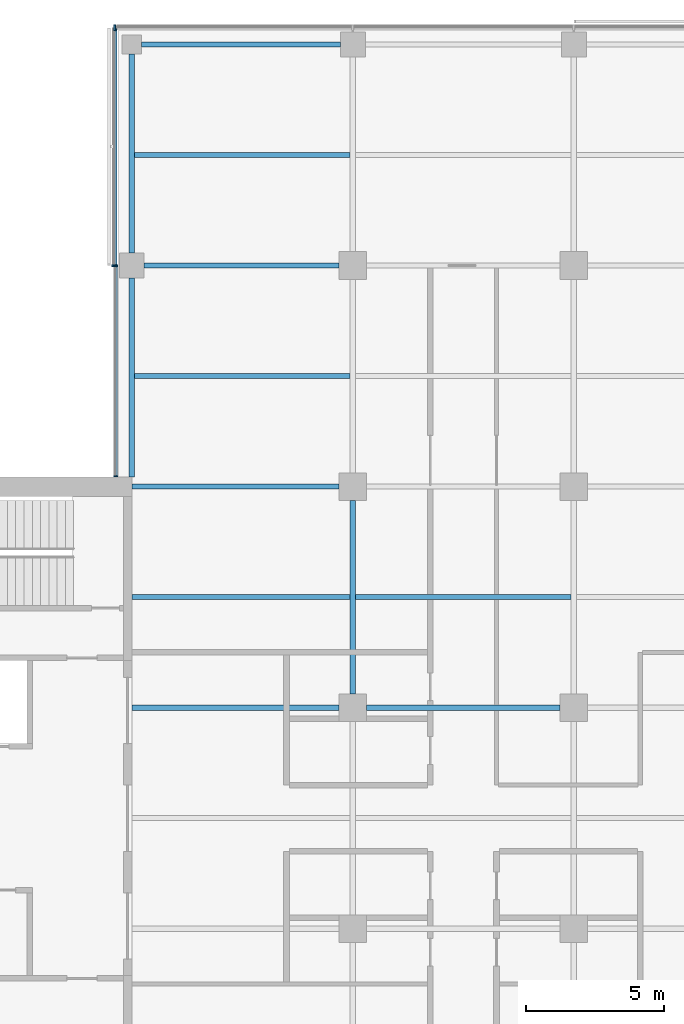
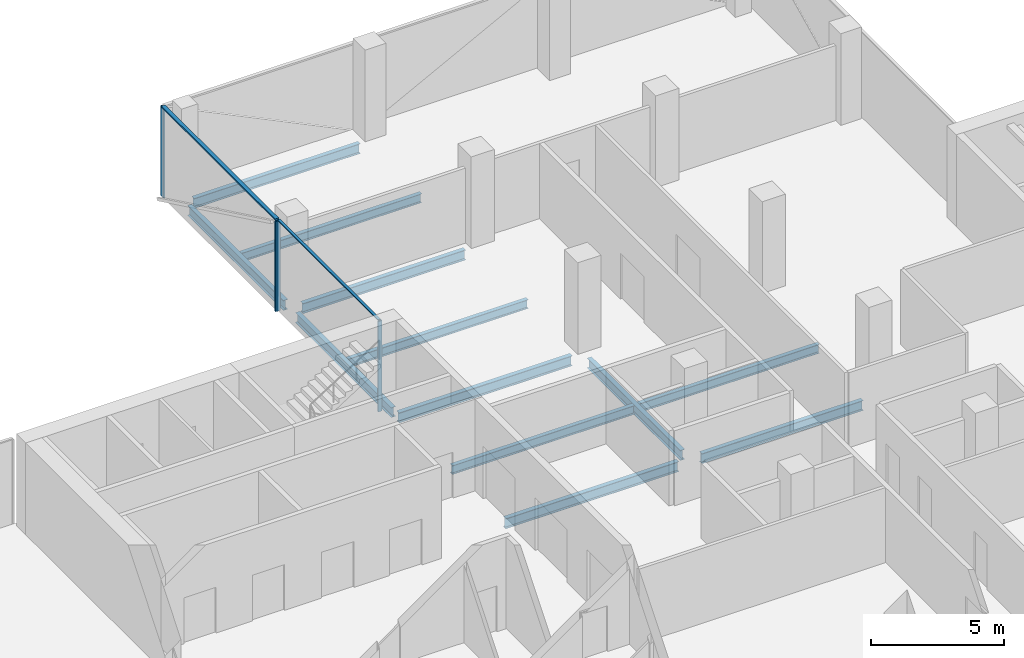
# One storey, part 8 of 22: 12 beams, 6 members, 3 elements without a shape of their own.
"""IFC4 building model written with IfcOpenShell, lengths in metres."""

import ifcopenshell
import ifcopenshell.guid

model = None  # the IFC model being written
_history = None  # IfcOwnerHistory: only IFC2X3 demands one
_inside = {}  # id of a spatial element -> (the spatial element, [elements in it])
_under = {}  # id of a project, library or spatial element -> (it, [spatial elements below it])
_declared = {}  # id of a project -> (the project, [libraries it declares])
_typed = {}  # id of a type object -> (the type object, [elements of that type])
_made_of = {}  # id of a material, layer set ... -> (it, [elements and type objects made of it])


def new_model(schema):
    """Start an empty IFC model of exactly this schema.

    Asked for "IFC4X3", IfcOpenShell would pick the latest addendum, in which some entities
    have other attributes; the version numbers below select the first issue.
    IFC2X3 requires an IfcOwnerHistory on every rooted entity: one is made here for all.
    """
    global model, _history
    if schema == "IFC4X3":
        model = ifcopenshell.file(schema_version=(4, 3, 0, 0))
    else:
        model = ifcopenshell.file(schema=schema)
    _inside.clear()
    _under.clear()
    _declared.clear()
    _typed.clear()
    _made_of.clear()
    _history = None
    if model.schema == "IFC2X3":
        org = make("IfcOrganization", Name="unknown")
        user = make(
            "IfcPersonAndOrganization",
            ThePerson=make("IfcPerson", FamilyName="unknown"),
            TheOrganization=org,
        )
        app = make(
            "IfcApplication",
            ApplicationDeveloper=org,
            Version="unknown",
            ApplicationFullName="unknown",
            ApplicationIdentifier="unknown",
        )
        _history = make(
            "IfcOwnerHistory",
            OwningUser=user,
            OwningApplication=app,
            ChangeAction="ADDED",
            CreationDate=0,
        )
    return model


def make(cls, **values):
    """One entity of the class cls with the attributes given. An attribute that is None is left unset."""
    return model.create_entity(
        cls, **{name: value for name, value in values.items() if value is not None}
    )


def rooted(cls, **values):
    """An entity with a GlobalId (a new one), such as an element, a storey or a relation."""
    return make(cls, GlobalId=ifcopenshell.guid.new(), OwnerHistory=_history, **values)


def si_unit(unit_type, name, prefix=None):
    """IfcSIUnit, for example si_unit("LENGTHUNIT", "METRE", prefix="MILLI")."""
    return make("IfcSIUnit", UnitType=unit_type, Prefix=prefix, Name=name)


def assignment(units):
    """IfcUnitAssignment: the units of a project."""
    return None if units is None else make("IfcUnitAssignment", Units=units)


def point(xyz):
    """IfcCartesianPoint."""
    return None if xyz is None else make("IfcCartesianPoint", Coordinates=xyz)


def direction(xyz):
    """IfcDirection."""
    return None if xyz is None else make("IfcDirection", DirectionRatios=xyz)


def frame(location, z_axis=None, x_axis=None):
    """IfcAxis2Placement3D, a coordinate frame: its origin and axes. An axis left out is left unset."""
    return make(
        "IfcAxis2Placement3D",
        Location=point(location),
        Axis=direction(z_axis),
        RefDirection=direction(x_axis),
    )


def frame_2d(location, x_axis=None):
    """IfcAxis2Placement2D, a coordinate frame in the plane: its origin and x axis."""
    return make(
        "IfcAxis2Placement2D", Location=point(location), RefDirection=direction(x_axis)
    )


def origin():
    """The frame at (0, 0, 0) with its axes left unset."""
    return frame((0.0, 0.0, 0.0))


def origin_2d():
    """The frame at (0, 0) in the plane with its x axis left unset."""
    return frame_2d((0.0, 0.0))


def place(relative_to, where):
    """IfcLocalPlacement: puts the frame where relative to a parent placement (None: the world)."""
    return make(
        "IfcLocalPlacement", PlacementRelTo=relative_to, RelativePlacement=where
    )


def context(
    kind, dimensions, precision=None, world=None, true_north=None, identifier=None
):
    """IfcGeometricRepresentationContext, for example the 3D "Model" context."""
    return make(
        "IfcGeometricRepresentationContext",
        ContextIdentifier=identifier,
        ContextType=kind,
        CoordinateSpaceDimension=dimensions,
        Precision=precision,
        WorldCoordinateSystem=world,
        TrueNorth=true_north,
    )


def subcontext(parent, identifier, kind, view, scale=None):
    """IfcGeometricRepresentationSubContext, for example "Body" below "Model"."""
    return make(
        "IfcGeometricRepresentationSubContext",
        ContextIdentifier=identifier,
        ContextType=kind,
        ParentContext=parent,
        TargetScale=scale,
        TargetView=view,
    )


def project(units=None, contexts=None):
    """IfcProject with its units and contexts."""
    return rooted(
        "IfcProject",
        Name="project",
        RepresentationContexts=contexts,
        UnitsInContext=assignment(units),
    )


def spatial(cls, under=None, at=None, **own):
    """A site, building, storey or space (cls), placed at a placement, below another one or the project."""
    s = rooted(cls, ObjectPlacement=at, **own)
    if under is not None:
        _under.setdefault(under.id(), (under, []))[1].append(s)
    return s


def profile(cls, at=None, kind="AREA", **sizes):
    """A parametric profile (cls). Its sizes go by their IFC names, for example OverallWidth=200.0."""
    return make(cls, ProfileType=kind, Position=at, **sizes)


def rectangle(**sizes):
    """IfcRectangleProfileDef."""
    return profile("IfcRectangleProfileDef", **sizes)


def i_section(**sizes):
    """IfcIShapeProfileDef."""
    return profile("IfcIShapeProfileDef", **sizes)


def extrude(swept, where, along, depth):
    """IfcExtrudedAreaSolid: the profile swept, set in the frame where, extruded along a direction by depth."""
    return make(
        "IfcExtrudedAreaSolid",
        SweptArea=swept,
        Position=where,
        ExtrudedDirection=direction(along),
        Depth=depth,
    )


def shape(context_of_items, identifier, shape_type, items):
    """IfcShapeRepresentation: the items that make up one representation, for example the "Body"."""
    return make(
        "IfcShapeRepresentation",
        ContextOfItems=context_of_items,
        RepresentationIdentifier=identifier,
        RepresentationType=shape_type,
        Items=items,
    )


def material(Name=None, Category=None):
    """IfcMaterial."""
    return make("IfcMaterial", Name=Name, Category=Category)


def material_profile(
    of_material, cross_section, Name=None, Category=None, Priority=None
):
    """IfcMaterialProfile: a cross section and its material."""
    return make(
        "IfcMaterialProfile",
        Name=Name,
        Material=of_material,
        Profile=cross_section,
        Priority=Priority,
        Category=Category,
    )


def profile_set(profiles, Name=None, composite=None):
    """IfcMaterialProfileSet."""
    return make(
        "IfcMaterialProfileSet",
        Name=Name,
        MaterialProfiles=profiles,
        CompositeProfile=composite,
    )


def made_of(thing, what):
    """Note that an element or type object is made of a material, layer set ...; save() writes the relation."""
    if what is not None:
        _made_of.setdefault(what.id(), (what, []))[1].append(thing)
    return thing


def type_object(cls, material=None, **own):
    """A type object (cls), such as IfcWallType, which elements share."""
    return made_of(rooted(cls, **own), material)


def element(
    cls,
    number,
    at=None,
    inside=None,
    cuts=None,
    type_object=None,
    material=None,
    context=None,
    identifier="Body",
    shape_type=None,
    held_by="IfcProductDefinitionShape",
    body=None,
    shapes=None,
    **own,
):
    """One element of the class cls, such as IfcWall. Its Tag is "e" and its number.

    at: its placement. inside: the storey or other place that contains it. cuts: it is an
    opening in that element (IfcRelVoidsElement). A single representation is given by context,
    identifier, shape_type and body (its items); several are given by shapes. held_by: the class
    of the entity that holds the representations. save() writes the other relations.
    """
    e = rooted(cls, Tag="e%d" % number, ObjectPlacement=at, **own)
    if body is not None:
        shapes = [shape(context, identifier, shape_type, body)]
    if shapes is not None:
        e.Representation = make(held_by, Representations=shapes)
    if inside is not None:
        _inside.setdefault(inside.id(), (inside, []))[1].append(e)
    if cuts is not None:
        rooted(
            "IfcRelVoidsElement", RelatingBuildingElement=cuts, RelatedOpeningElement=e
        )
    if type_object is not None:
        _typed.setdefault(type_object.id(), (type_object, []))[1].append(e)
    return made_of(e, material)


def aggregate(whole, parts):
    """IfcRelAggregates: a whole, such as a stair, and the parts it consists of."""
    return rooted("IfcRelAggregates", RelatingObject=whole, RelatedObjects=parts)


def save(model, path):
    """Write the relations noted so far, then the file.

    IfcRelAggregates (storeys below a building ...), IfcRelContainedInSpatialStructure (elements
    in a storey), IfcRelDefinesByType, IfcRelAssociatesMaterial and IfcRelDeclares: one each for
    every whole, place, type object, material and project.
    """
    for whole, parts in _under.values():
        aggregate(whole, parts)
    for where, things in _inside.values():
        rooted(
            "IfcRelContainedInSpatialStructure",
            RelatedElements=things,
            RelatingStructure=where,
        )
    for kind, things in _typed.values():
        rooted("IfcRelDefinesByType", RelatedObjects=things, RelatingType=kind)
    for what, things in _made_of.values():
        rooted("IfcRelAssociatesMaterial", RelatedObjects=things, RelatingMaterial=what)
    for by, libraries in _declared.values():
        rooted("IfcRelDeclares", RelatingContext=by, RelatedDefinitions=libraries)
    model.write(path)


model = new_model("IFC4")

# Units and contexts
model_context = context("Model", 3, precision=1e-05, world=origin(), true_north=direction((0.0, 1.0)))
body_context = subcontext(model_context, "Body", "Model", "MODEL_VIEW")
ifc_project = project(units=[si_unit("LENGTHUNIT", "METRE"), si_unit("AREAUNIT", "SQUARE_METRE"), si_unit("VOLUMEUNIT", "CUBIC_METRE"), si_unit("PLANEANGLEUNIT", "RADIAN"), si_unit("MASSUNIT", "GRAM", prefix="KILO")], contexts=[model_context])

# Site, building, storey
site_placement = place(None, origin())
site = spatial("IfcSite", under=ifc_project, at=site_placement, CompositionType="ELEMENT")
building_placement = place(site_placement, origin())
building = spatial("IfcBuilding", under=site, at=building_placement, Name="Crosswind Convention Tower", CompositionType="ELEMENT")
storey_placement = place(building_placement, frame((0.0, 0.0, 116.89990234375)))
storey = spatial("IfcBuildingStorey", under=building, at=storey_placement, Name="L23", CompositionType="ELEMENT", Elevation=116.89990234375)

# Beams
ifc_material_1 = material(Name="Steel S355", Category="steel")
ifc_material_profile_1 = material_profile(ifc_material_1, i_section(OverallWidth=0.18994140625, OverallDepth=0.45361328125, WebThickness=0.008544921875, FlangeThickness=0.0126953125, FilletRadius=0.01025390625, at=origin_2d()), Name="UB 457x191x67")
ifc_profile_set_1 = profile_set([ifc_material_profile_1], Name="Steel S355")
beam_type_1 = type_object("IfcBeamType", Name="Edge beam UB 457x191x67", PredefinedType="SPANDREL", material=ifc_profile_set_1)
for number, where, z_axis, x_axis, name in (
    (1, (113.0, 112.35009765625, -0.526611328125), (0.0, 1.0, 0.0), (-1.0, 0.0, 0.0), "B16 L23 edge beam 8"),
    (2, (113.0, 120.449951171875, -0.526611328125), (0.0, 1.0, 0.0), (-1.0, 0.0, 0.0), "B16 L23 edge beam 9"),
    (3, (113.35009765625, 128.0, -0.526611328125), (1.0, 0.0, 0.0), (0.0, 1.0, 0.0), "B16 L23 edge beam 11"),
):
    element("IfcBeam", number, at=place(storey_placement, frame(where, z_axis=z_axis, x_axis=x_axis)), inside=storey, type_object=beam_type_1, Name=name, PredefinedType="SPANDREL", context=body_context, shape_type="SweptSolid", body=[
        extrude(i_section(OverallWidth=0.18994140625, OverallDepth=0.45361328125, WebThickness=0.008544921875, FlangeThickness=0.0126953125, FilletRadius=0.01025390625, at=origin_2d()), origin(), (0.0, 0.0, 1.0), 7.199951171875),
    ])
ifc_material_profile_2 = material_profile(ifc_material_1, i_section(OverallWidth=0.19140625, OverallDepth=0.460205078125, WebThickness=0.010009765625, FlangeThickness=0.01611328125, FilletRadius=0.01025390625, at=origin_2d()), Name="UB 457x191x82")
ifc_profile_set_2 = profile_set([ifc_material_profile_2], Name="Steel S355")
beam_type_2 = type_object("IfcBeamType", Name="Girder UB 457x191x82", PredefinedType="BEAM", material=ifc_profile_set_2)
beam_1_placement = place(storey_placement, frame((113.449951171875, 120.0, -0.530029296875), z_axis=(1.0, 0.0, 0.0), x_axis=(0.0, 1.0, 0.0)))
element("IfcBeam", 4, at=beam_1_placement, inside=storey, type_object=beam_type_2, Name="B3 L23 girder 2", PredefinedType="BEAM", context=body_context, shape_type="SweptSolid", body=[
    extrude(i_section(OverallWidth=0.19140625, OverallDepth=0.460205078125, WebThickness=0.010009765625, FlangeThickness=0.01611328125, FilletRadius=0.01025390625, at=origin_2d()), origin(), (0.0, 0.0, 1.0), 7.050048828125),
])
for number, where, z_axis, x_axis, name in (
    (5, (121.0, 104.5, -0.530029296875), (0.0, 1.0, 0.0), (-1.0, 0.0, 0.0), "B3 L23 girder 7"),
    (6, (121.5, 104.0, -0.530029296875), (1.0, 0.0, 0.0), (0.0, 1.0, 0.0), "B3 L23 girder 13"),
):
    element("IfcBeam", number, at=place(storey_placement, frame(where, z_axis=z_axis, x_axis=x_axis)), inside=storey, type_object=beam_type_2, Name=name, PredefinedType="BEAM", context=body_context, shape_type="SweptSolid", body=[
        extrude(i_section(OverallWidth=0.19140625, OverallDepth=0.460205078125, WebThickness=0.010009765625, FlangeThickness=0.01611328125, FilletRadius=0.01025390625, at=origin_2d()), origin(), (0.0, 0.0, 1.0), 7.0),
    ])
ifc_material_profile_3 = material_profile(ifc_material_1, i_section(OverallWidth=0.19189453125, OverallDepth=0.463623046875, WebThickness=0.010498046875, FlangeThickness=0.017578125, FilletRadius=0.01025390625, at=origin_2d()), Name="UB 457x191x90")
ifc_profile_set_3 = profile_set([ifc_material_profile_3], Name="Steel S355")
beam_type_3 = type_object("IfcBeamType", Name="Girder at core wall UB 457x191x90", PredefinedType="BEAM", material=ifc_profile_set_3)
for number, where, z_axis, x_axis, name in (
    (7, (113.0, 104.0, -0.53173828125), (1.0, 0.0, 0.0), (0.0, 1.0, 0.0), "B24 L23 girder at core wall 5"),
    (8, (113.0, 112.0, -0.53173828125), (1.0, 0.0, 0.0), (0.0, 1.0, 0.0), "B24 L23 girder at core wall 6"),
):
    element("IfcBeam", number, at=place(storey_placement, frame(where, z_axis=z_axis, x_axis=x_axis)), inside=storey, type_object=beam_type_3, Name=name, PredefinedType="BEAM", context=body_context, shape_type="SweptSolid", body=[
        extrude(i_section(OverallWidth=0.19189453125, OverallDepth=0.463623046875, WebThickness=0.010498046875, FlangeThickness=0.017578125, FilletRadius=0.01025390625, at=origin_2d()), origin(), (0.0, 0.0, 1.0), 7.5),
    ])

# Curtain wall, members
ifc_material_2 = material(Name="Aluminium unitised curtain wall", Category="aluminium")
curtain_wall_type_1 = type_object("IfcCurtainWallType", Name="CORE END SLOT WALL 160", PredefinedType="USERDEFINED", material=ifc_material_2)
curtain_wall_1_placement = place(storey_placement, origin())
curtain_wall_1 = element("IfcCurtainWall", 9, at=curtain_wall_1_placement, inside=storey, type_object=curtain_wall_type_1, Name="CW6 L23 N-W.1-2 slot", ObjectType="UNITISED", PredefinedType="USERDEFINED")
ifc_material_3 = material(Name="Aluminium mullion", Category="aluminium")
ifc_material_profile_4 = material_profile(ifc_material_3, rectangle(XDim=0.159912109375, YDim=0.050048828125, at=origin_2d()), Name="AL 160X50")
ifc_profile_set_4 = profile_set([ifc_material_profile_4], Name="Aluminium mullion")
member_type_1 = type_object("IfcMemberType", Name="MULLION 50X160", PredefinedType="MULLION", material=ifc_profile_set_4)
member_1_placement = place(storey_placement, frame((112.419921875, 119.97509765625, -0.2998046875), z_axis=(0.0, 0.0, 1.0), x_axis=(-1.0, 0.0, 0.0)))
member_1 = element("IfcMember", 10, at=member_1_placement, type_object=member_type_1, Name="CW6 mullion 1", PredefinedType="MULLION", context=body_context, shape_type="SweptSolid", body=[
    extrude(rectangle(XDim=0.159912109375, YDim=0.050048828125, at=origin_2d()), origin(), (0.0, 0.0, 1.0), 4.14990234375),
])
member_2_placement = place(storey_placement, frame((112.419921875, 112.375, -0.2998046875), z_axis=(0.0, 0.0, 1.0), x_axis=(-1.0, 0.0, 0.0)))
member_2 = element("IfcMember", 11, at=member_2_placement, type_object=member_type_1, Name="CW6 mullion 2", PredefinedType="MULLION", context=body_context, shape_type="SweptSolid", body=[
    extrude(rectangle(XDim=0.159912109375, YDim=0.050048828125, at=origin_2d()), origin(), (0.0, 0.0, 1.0), 4.14990234375),
])

# Curtain wall, member
curtain_wall_type_2 = type_object("IfcCurtainWallType", Name="OFFICE UNITISED WALL 220", PredefinedType="USERDEFINED", material=ifc_material_2)
curtain_wall_2_placement = place(storey_placement, origin())
curtain_wall_2 = element("IfcCurtainWall", 12, at=curtain_wall_2_placement, inside=storey, type_object=curtain_wall_type_2, Name="CW3 L23 N-TIP 1", ObjectType="UNITISED", PredefinedType="USERDEFINED")
ifc_material_profile_5 = material_profile(ifc_material_3, rectangle(XDim=0.219970703125, YDim=0.070068359375, at=origin_2d()), Name="AL 220X70")
ifc_profile_set_5 = profile_set([ifc_material_profile_5], Name="Aluminium mullion")
member_type_2 = type_object("IfcMemberType", Name="MULLION 70X220", PredefinedType="MULLION", material=ifc_profile_set_5)
member_3_placement = place(storey_placement, frame((112.389892578125, 128.610107421875, -0.2998046875), z_axis=(0.0, 0.0, 1.0), x_axis=(0.0, 1.0, 0.0)))
member_3 = element("IfcMember", 13, at=member_3_placement, type_object=member_type_2, Name="CW3 mullion 4", PredefinedType="MULLION", context=body_context, shape_type="SweptSolid", body=[
    extrude(rectangle(XDim=0.219970703125, YDim=0.070068359375, at=origin_2d()), origin(), (0.0, 0.0, 1.0), 4.1298828125),
])
aggregate(curtain_wall_2, [member_3])

curtain_wall_3_placement = place(storey_placement, origin())
curtain_wall_3 = element("IfcCurtainWall", 14, at=curtain_wall_3_placement, inside=storey, type_object=curtain_wall_type_2, Name="CW3 L23 N-W 1", ObjectType="UNITISED", PredefinedType="USERDEFINED")
member_4_placement = place(storey_placement, frame((112.389892578125, 120.0, -0.2998046875), z_axis=(0.0, 0.0, 1.0), x_axis=(-1.0, 0.0, 0.0)))
member_4 = element("IfcMember", 15, at=member_4_placement, type_object=member_type_2, Name="CW3 mullion 2", PredefinedType="MULLION", context=body_context, shape_type="SweptSolid", body=[
    extrude(rectangle(XDim=0.219970703125, YDim=0.070068359375, at=origin_2d()), origin(), (0.0, 0.0, 1.0), 4.1298828125),
])

# Beams
ifc_material_profile_6 = material_profile(ifc_material_1, i_section(OverallWidth=0.177734375, OverallDepth=0.406494140625, WebThickness=0.0078125, FlangeThickness=0.0126953125, FilletRadius=0.01025390625, at=origin_2d()), Name="UB 406x178x60")
ifc_profile_set_6 = profile_set([ifc_material_profile_6], Name="Steel S355")
beam_type_4 = type_object("IfcBeamType", Name="Secondary beam UB 406x178x60", PredefinedType="JOIST", material=ifc_profile_set_6)
beam_2_placement = place(storey_placement, frame((113.0, 108.0, -0.503173828125), z_axis=(1.0, 0.0, 0.0), x_axis=(0.0, 1.0, 0.0)))
element("IfcBeam", 16, at=beam_2_placement, inside=storey, type_object=beam_type_4, Name="B10 L23 secondary beam 6", PredefinedType="JOIST", context=body_context, shape_type="SweptSolid", body=[
    extrude(i_section(OverallWidth=0.177734375, OverallDepth=0.406494140625, WebThickness=0.0078125, FlangeThickness=0.0126953125, FilletRadius=0.01025390625, at=origin_2d()), origin(), (0.0, 0.0, 1.0), 7.904296875),
])
for number, where, z_axis, x_axis, name in (
    (17, (113.094970703125, 116.0, -0.503173828125), (1.0, 0.0, 0.0), (0.0, 1.0, 0.0), "B10 L23 secondary beam 9"),
    (18, (113.094970703125, 124.0, -0.503173828125), (1.0, 0.0, 0.0), (0.0, 1.0, 0.0), "B10 L23 secondary beam 10"),
):
    element("IfcBeam", number, at=place(storey_placement, frame(where, z_axis=z_axis, x_axis=x_axis)), inside=storey, type_object=beam_type_4, Name=name, PredefinedType="JOIST", context=body_context, shape_type="SweptSolid", body=[
        extrude(i_section(OverallWidth=0.177734375, OverallDepth=0.406494140625, WebThickness=0.0078125, FlangeThickness=0.0126953125, FilletRadius=0.01025390625, at=origin_2d()), origin(), (0.0, 0.0, 1.0), 7.809326171875),
    ])
beam_3_placement = place(storey_placement, frame((121.095703125, 108.0, -0.503173828125), z_axis=(1.0, 0.0, 0.0), x_axis=(0.0, 1.0, 0.0)))
element("IfcBeam", 19, at=beam_3_placement, inside=storey, type_object=beam_type_4, Name="B10 L23 secondary beam 15", PredefinedType="JOIST", context=body_context, shape_type="SweptSolid", body=[
    extrude(i_section(OverallWidth=0.177734375, OverallDepth=0.406494140625, WebThickness=0.0078125, FlangeThickness=0.0126953125, FilletRadius=0.01025390625, at=origin_2d()), origin(), (0.0, 0.0, 1.0), 7.80859375),
])

# Member
ifc_material_4 = material(Name="Aluminium transom", Category="aluminium")
ifc_material_profile_7 = material_profile(ifc_material_4, rectangle(XDim=0.1201171875, YDim=0.050048828125, at=origin_2d()), Name="AL 120X50")
ifc_profile_set_7 = profile_set([ifc_material_profile_7], Name="Aluminium transom")
member_type_3 = type_object("IfcMemberType", Name="TRANSOM 50X120", PredefinedType="USERDEFINED", material=ifc_profile_set_7)
member_5_placement = place(storey_placement, frame((112.419921875, 119.949951171875, 3.875), z_axis=(0.0, -1.0, 0.0), x_axis=(1.0, 0.0, 0.0)))
member_5 = element("IfcMember", 20, at=member_5_placement, type_object=member_type_3, Name="CW6 transom", ObjectType="TRANSOM", PredefinedType="USERDEFINED", context=body_context, shape_type="SweptSolid", body=[
    extrude(rectangle(XDim=0.1201171875, YDim=0.050048828125, at=origin_2d()), origin(), (0.0, 0.0, 1.0), 7.550048828125),
])

aggregate(curtain_wall_1, [member_1, member_2, member_5])

ifc_material_profile_8 = material_profile(ifc_material_4, rectangle(XDim=0.159912109375, YDim=0.070068359375, at=origin_2d()), Name="AL 160X70")
ifc_profile_set_8 = profile_set([ifc_material_profile_8], Name="Aluminium transom")
member_type_4 = type_object("IfcMemberType", Name="TRANSOM 70X160", PredefinedType="USERDEFINED", material=ifc_profile_set_8)
member_6_placement = place(storey_placement, frame((112.389892578125, 128.574951171875, 3.864990234375), z_axis=(0.0, -1.0, 0.0), x_axis=(1.0, 0.0, 0.0)))
member_6 = element("IfcMember", 21, at=member_6_placement, type_object=member_type_4, Name="CW3 transom", ObjectType="TRANSOM", PredefinedType="USERDEFINED", context=body_context, shape_type="SweptSolid", body=[
    extrude(rectangle(XDim=0.159912109375, YDim=0.070068359375, at=origin_2d()), origin(), (0.0, 0.0, 1.0), 8.5400390625),
])

aggregate(curtain_wall_3, [member_4, member_6])

save(model, "model.ifc")
